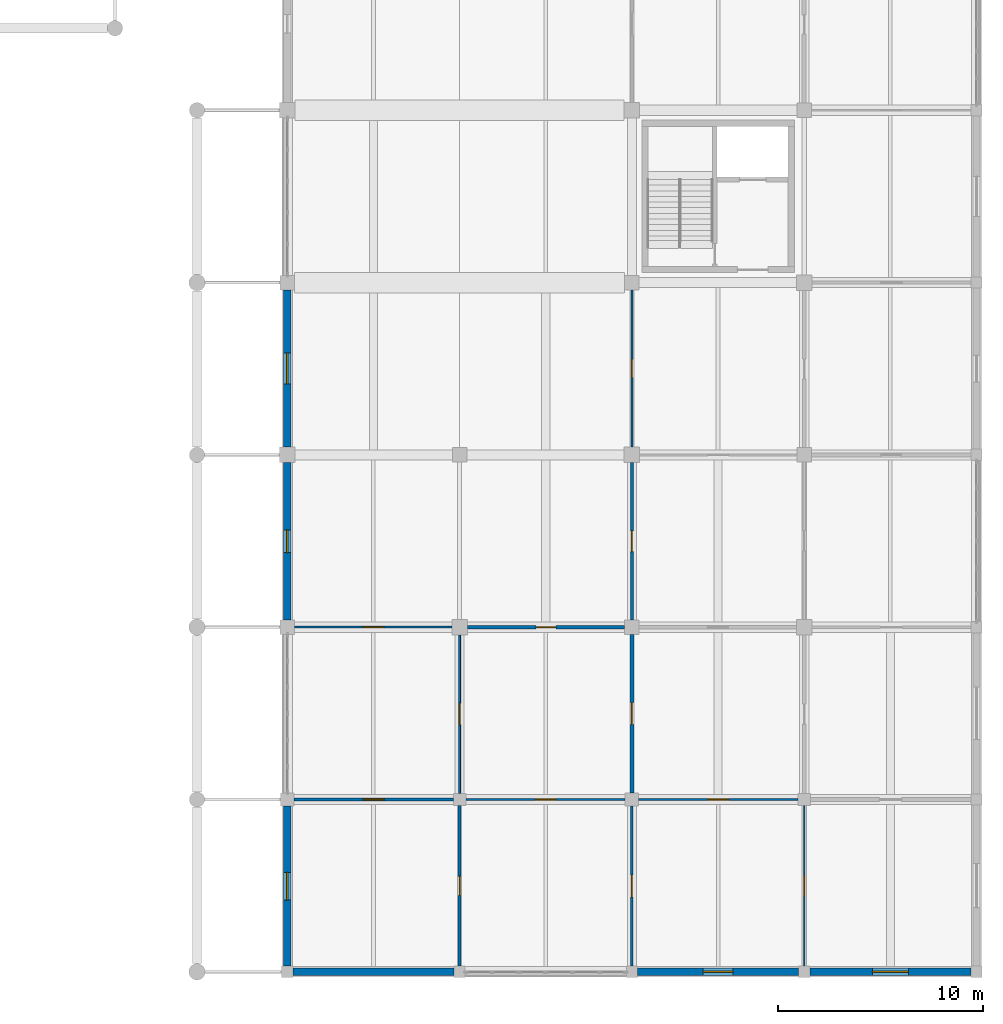
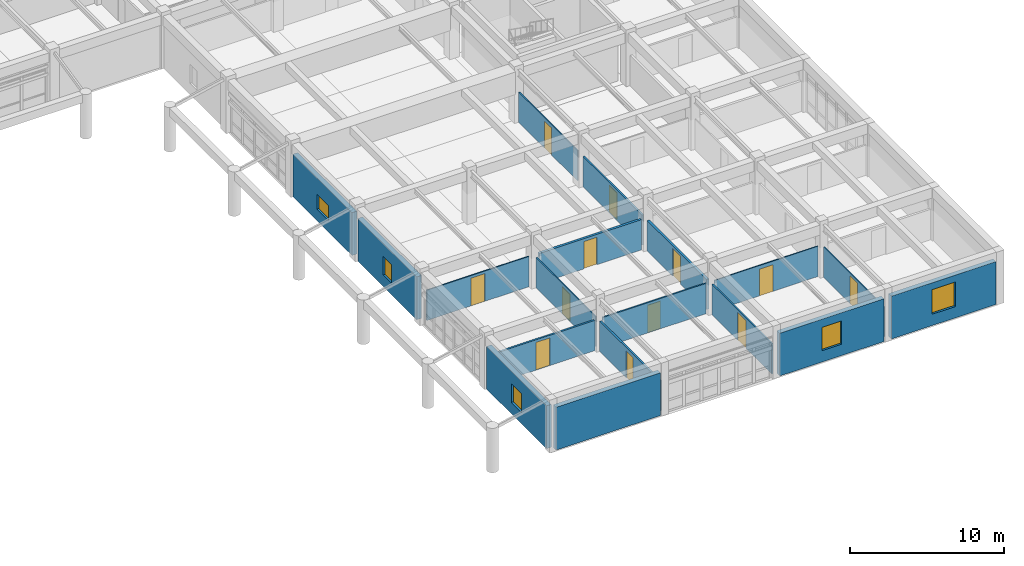
# One storey, part 90 of 99: 18 walls, 12 doors, 5 windows, 17 openings.
"""IFC4 building model written with IfcOpenShell, lengths in metres."""

from ifc_helpers import new_model, si_unit, direction, frame, frame_2d, origin, place, context, subcontext, project, spatial, rectangle, extrude, material, layer, layer_set, type_object, element, fill, save


model = new_model("IFC4")

# Units and contexts
model_context = context("Model", 3, precision=1e-05, world=origin(), true_north=direction((0.0, 1.0)))
body_context = subcontext(model_context, "Body", "Model", "MODEL_VIEW")
ifc_project = project(units=[si_unit("LENGTHUNIT", "METRE"), si_unit("AREAUNIT", "SQUARE_METRE"), si_unit("VOLUMEUNIT", "CUBIC_METRE"), si_unit("PLANEANGLEUNIT", "RADIAN"), si_unit("MASSUNIT", "GRAM", prefix="KILO")], contexts=[model_context])

# Site, building, storey
site_placement = place(None, origin())
site = spatial("IfcSite", under=ifc_project, at=site_placement, CompositionType="ELEMENT")
building_placement = place(site_placement, origin())
building = spatial("IfcBuilding", under=site, at=building_placement, Name="Porcellanite Civic Hall", CompositionType="ELEMENT")
storey_placement = place(building_placement, frame((0.0, 0.0, 5.760009765625)))
storey = spatial("IfcBuildingStorey", under=building, at=storey_placement, Name="L01", CompositionType="ELEMENT", Elevation=5.760009765625)

# Wall
ifc_material_1 = material(Name="Precast concrete N40 (40 MPa)", Category="concrete")
ifc_layer_1 = layer(ifc_material_1, 0.360107421875)
ifc_layer_set_1 = layer_set([ifc_layer_1], Name="Precast concrete N40 (40 MPa)")
wall_type_1 = type_object("IfcWallType", Name="EW-LIB360", PredefinedType="SOLIDWALL", material=ifc_layer_set_1)
wall_1_placement = place(storey_placement, frame((150.924072265625, 0.0, 0.0), z_axis=(0.0, 0.0, 1.0), x_axis=(-1.0, 0.0, 0.0)))
element("IfcWall", 1, at=wall_1_placement, inside=storey, type_object=wall_type_1, Name="Exterior wall L01 S 18-1", PredefinedType="SOLIDWALL", context=body_context, shape_type="SweptSolid", body=[
    extrude(rectangle(XDim=7.84814453125, YDim=0.360107421875, at=frame_2d((3.924072265625, 0.0))), origin(), (0.0, 0.0, 1.0), 3.39990234375),
])

# Wall, opening, window
wall_2_placement = place(storey_placement, frame((142.800048828125, 0.27587890625, 0.0), z_axis=(0.0, 0.0, 1.0), x_axis=(0.0, 1.0, 0.0)))
wall_2 = element("IfcWall", 2, at=wall_2_placement, inside=storey, type_object=wall_type_1, Name="Exterior wall L01 W 18-1", PredefinedType="SOLIDWALL", context=body_context, shape_type="SweptSolid", body=[
    extrude(rectangle(XDim=7.798095703125, YDim=0.360107421875, at=frame_2d((3.89892578125, 0.0))), origin(), (0.0, 0.0, 1.0), 3.39990234375),
])
opening_1_placement = place(wall_2_placement, frame((3.22412109375, 0.0, 0.89990234375)))
opening_1 = element("IfcOpeningElement", 3, at=opening_1_placement, cuts=wall_2, Name="Opening W23", PredefinedType="OPENING", context=body_context, shape_type="SweptSolid", body=[
    extrude(rectangle(XDim=1.35009765625, YDim=1.5, at=frame_2d((0.675048828125, 0.75))), frame((0.0, 0.18017578125, 0.0), z_axis=(0.0, -1.0, 0.0), x_axis=(1.0, 0.0, 0.0)), (0.0, 0.0, 1.0), 0.360107421875),
])
ifc_material_2 = material(Name="Cyclone laminated low-E glazing in anodised aluminium frame", Category="aluminium")
window_type_1 = type_object("IfcWindowType", Name="WN-23", PartitioningType="SINGLE_PANEL", PredefinedType="WINDOW", material=ifc_material_2)
window_1_placement = place(opening_1_placement, origin())
window_1 = element("IfcWindow", 4, at=window_1_placement, inside=storey, type_object=window_type_1, Name="Window W23 L01 W 18-1", OverallHeight=1.5, OverallWidth=1.35009765625, PartitioningType="SINGLE_PANEL", PredefinedType="WINDOW", context=body_context, shape_type="SweptSolid", body=[
    extrude(rectangle(XDim=1.35009765625, YDim=1.5, at=frame_2d((0.675048828125, 0.75))), frame((0.0, 0.030029296875, 0.0), z_axis=(0.0, -1.0, 0.0), x_axis=(1.0, 0.0, 0.0)), (0.0, 0.0, 1.0), 0.06005859375),
])
fill(opening_1, window_1)

wall_3_placement = place(storey_placement, frame((142.800048828125, 17.15087890625, 0.0), z_axis=(0.0, 0.0, 1.0), x_axis=(0.0, 1.0, 0.0)))
wall_3 = element("IfcWall", 5, at=wall_3_placement, inside=storey, type_object=wall_type_1, Name="Exterior wall L01 W 18-3", PredefinedType="SOLIDWALL", context=body_context, shape_type="SweptSolid", body=[
    extrude(rectangle(XDim=7.673095703125, YDim=0.360107421875, at=frame_2d((3.83642578125, 0.0))), origin(), (0.0, 0.0, 1.0), 3.39990234375),
])
opening_2_placement = place(wall_3_placement, frame((3.287109375, 0.0, 0.89990234375)))
opening_2 = element("IfcOpeningElement", 6, at=opening_2_placement, cuts=wall_3, Name="Opening W24", PredefinedType="OPENING", context=body_context, shape_type="SweptSolid", body=[
    extrude(rectangle(XDim=1.10009765625, YDim=1.5, at=frame_2d((0.550048828125, 0.75))), frame((0.0, 0.18017578125, 0.0), z_axis=(0.0, -1.0, 0.0), x_axis=(1.0, 0.0, 0.0)), (0.0, 0.0, 1.0), 0.360107421875),
])
ifc_material_3 = material(Name="Cyclone laminated low-E glazing in anodised aluminium frame", Category="aluminium")
window_type_2 = type_object("IfcWindowType", Name="WN-24", PartitioningType="SINGLE_PANEL", PredefinedType="WINDOW", material=ifc_material_3)
window_2_placement = place(opening_2_placement, origin())
window_2 = element("IfcWindow", 7, at=window_2_placement, inside=storey, type_object=window_type_2, Name="Window W24 L01 W 18-3", OverallHeight=1.5, OverallWidth=1.10009765625, PartitioningType="SINGLE_PANEL", PredefinedType="WINDOW", context=body_context, shape_type="SweptSolid", body=[
    extrude(rectangle(XDim=1.10009765625, YDim=1.5, at=frame_2d((0.550048828125, 0.75))), frame((0.0, 0.030029296875, 0.0), z_axis=(0.0, -1.0, 0.0), x_axis=(1.0, 0.0, 0.0)), (0.0, 0.0, 1.0), 0.06005859375),
])
fill(opening_2, window_2)

wall_4_placement = place(storey_placement, frame((142.800048828125, 25.575927734375, 0.0), z_axis=(0.0, 0.0, 1.0), x_axis=(0.0, 1.0, 0.0)))
wall_4 = element("IfcWall", 8, at=wall_4_placement, inside=storey, type_object=wall_type_1, Name="Exterior wall L01 W 18-4", PredefinedType="SOLIDWALL", context=body_context, shape_type="SweptSolid", body=[
    extrude(rectangle(XDim=7.673095703125, YDim=0.360107421875, at=frame_2d((3.83642578125, 0.0))), origin(), (0.0, 0.0, 1.0), 3.39990234375),
])
opening_3_placement = place(wall_4_placement, frame((3.0869140625, 0.0, 0.89990234375)))
opening_3 = element("IfcOpeningElement", 9, at=opening_3_placement, cuts=wall_4, Name="Opening W25", PredefinedType="OPENING", context=body_context, shape_type="SweptSolid", body=[
    extrude(rectangle(XDim=1.5, YDim=1.199951171875, at=frame_2d((0.75, 0.60009765625))), frame((0.0, 0.18017578125, 0.0), z_axis=(0.0, -1.0, 0.0), x_axis=(1.0, 0.0, 0.0)), (0.0, 0.0, 1.0), 0.360107421875),
])
ifc_material_4 = material(Name="Cyclone laminated low-E glazing in anodised aluminium frame", Category="aluminium")
window_type_3 = type_object("IfcWindowType", Name="WN-25", PartitioningType="SINGLE_PANEL", PredefinedType="WINDOW", material=ifc_material_4)
window_3_placement = place(opening_3_placement, origin())
window_3 = element("IfcWindow", 10, at=window_3_placement, inside=storey, type_object=window_type_3, Name="Window W25 L01 W 18-4", OverallHeight=1.199951171875, OverallWidth=1.5, PartitioningType="SINGLE_PANEL", PredefinedType="WINDOW", context=body_context, shape_type="SweptSolid", body=[
    extrude(rectangle(XDim=1.5, YDim=1.199951171875, at=frame_2d((0.75, 0.60009765625))), frame((0.0, 0.030029296875, 0.0), z_axis=(0.0, -1.0, 0.0), x_axis=(1.0, 0.0, 0.0)), (0.0, 0.0, 1.0), 0.06005859375),
])
fill(opening_3, window_3)

wall_5_placement = place(storey_placement, frame((167.72412109375, 0.0, 0.0), z_axis=(0.0, 0.0, 1.0), x_axis=(-1.0, 0.0, 0.0)))
wall_5 = element("IfcWall", 11, at=wall_5_placement, inside=storey, type_object=wall_type_1, Name="Exterior wall L01 S 20-1", PredefinedType="SOLIDWALL", context=body_context, shape_type="SweptSolid", body=[
    extrude(rectangle(XDim=7.84814453125, YDim=0.360107421875, at=frame_2d((3.924072265625, 0.0))), origin(), (0.0, 0.0, 1.0), 3.39990234375),
])
opening_4_placement = place(wall_5_placement, frame((3.198974609375, 0.0, 0.89990234375)))
opening_4 = element("IfcOpeningElement", 12, at=opening_4_placement, cuts=wall_5, Name="Opening W30", PredefinedType="OPENING", context=body_context, shape_type="SweptSolid", body=[
    extrude(rectangle(XDim=1.449951171875, YDim=1.85009765625, at=frame_2d((0.72509765625, 0.925048828125))), frame((0.0, 0.18017578125, 0.0), z_axis=(0.0, -1.0, 0.0), x_axis=(1.0, 0.0, 0.0)), (0.0, 0.0, 1.0), 0.360107421875),
])
ifc_material_5 = material(Name="Cyclone laminated low-E glazing in anodised aluminium frame", Category="aluminium")
window_type_4 = type_object("IfcWindowType", Name="WN-30", PartitioningType="SINGLE_PANEL", PredefinedType="WINDOW", material=ifc_material_5)
window_4_placement = place(opening_4_placement, origin())
window_4 = element("IfcWindow", 13, at=window_4_placement, inside=storey, type_object=window_type_4, Name="Window W30 L01 S 20-1", OverallHeight=1.85009765625, OverallWidth=1.449951171875, PartitioningType="SINGLE_PANEL", PredefinedType="WINDOW", context=body_context, shape_type="SweptSolid", body=[
    extrude(rectangle(XDim=1.449951171875, YDim=1.85009765625, at=frame_2d((0.72509765625, 0.925048828125))), frame((0.0, 0.030029296875, 0.0), z_axis=(0.0, -1.0, 0.0), x_axis=(1.0, 0.0, 0.0)), (0.0, 0.0, 1.0), 0.06005859375),
])
fill(opening_4, window_4)

wall_6_placement = place(storey_placement, frame((176.1240234375, 0.0, 0.0), z_axis=(0.0, 0.0, 1.0), x_axis=(-1.0, 0.0, 0.0)))
wall_6 = element("IfcWall", 14, at=wall_6_placement, inside=storey, type_object=wall_type_1, Name="Exterior wall L01 S 21-1", PredefinedType="SOLIDWALL", context=body_context, shape_type="SweptSolid", body=[
    extrude(rectangle(XDim=7.84814453125, YDim=0.360107421875, at=frame_2d((3.924072265625, 0.0))), origin(), (0.0, 0.0, 1.0), 3.39990234375),
])
opening_5_placement = place(wall_6_placement, frame((3.049072265625, 0.0, 0.89990234375)))
opening_5 = element("IfcOpeningElement", 15, at=opening_5_placement, cuts=wall_6, Name="Opening W31", PredefinedType="OPENING", context=body_context, shape_type="SweptSolid", body=[
    extrude(rectangle(XDim=1.75, YDim=1.949951171875, at=frame_2d((0.875, 0.97509765625))), frame((0.0, 0.18017578125, 0.0), z_axis=(0.0, -1.0, 0.0), x_axis=(1.0, 0.0, 0.0)), (0.0, 0.0, 1.0), 0.360107421875),
])
ifc_material_6 = material(Name="Cyclone laminated low-E glazing in anodised aluminium frame", Category="aluminium")
window_type_5 = type_object("IfcWindowType", Name="WN-31", PartitioningType="DOUBLE_PANEL_VERTICAL", PredefinedType="WINDOW", material=ifc_material_6)
window_5_placement = place(opening_5_placement, origin())
window_5 = element("IfcWindow", 16, at=window_5_placement, inside=storey, type_object=window_type_5, Name="Window W31 L01 S 21-1", OverallHeight=1.949951171875, OverallWidth=1.75, PartitioningType="SINGLE_PANEL", PredefinedType="WINDOW", context=body_context, shape_type="SweptSolid", body=[
    extrude(rectangle(XDim=1.75, YDim=1.949951171875, at=frame_2d((0.875, 0.97509765625))), frame((0.0, 0.030029296875, 0.0), z_axis=(0.0, -1.0, 0.0), x_axis=(1.0, 0.0, 0.0)), (0.0, 0.0, 1.0), 0.06005859375),
])
fill(opening_5, window_5)

# Wall, opening, door
ifc_material_7 = material(Name="Insulated acoustic plasterboard on light-gauge steel studs", Category="steel")
ifc_layer_2 = layer(ifc_material_7, 0.087890625)
ifc_layer_set_2 = layer_set([ifc_layer_2], Name="Insulated acoustic plasterboard on light-gauge steel studs")
wall_type_2 = type_object("IfcWallType", Name="IW-PT088", PredefinedType="PARTITIONING", material=ifc_layer_set_2)
wall_7_placement = place(storey_placement, frame((159.927001953125, 8.39990234375, 0.0), z_axis=(0.0, 0.0, 1.0), x_axis=(1.0, 0.0, 0.0)))
wall_7 = element("IfcWall", 17, at=wall_7_placement, inside=storey, type_object=wall_type_2, Name="Partition L01 H 20-1", PredefinedType="PARTITIONING", context=body_context, shape_type="SweptSolid", body=[
    extrude(rectangle(XDim=7.77099609375, YDim=0.087890625, at=frame_2d((3.885498046875, 0.0))), origin(), (0.0, 0.0, 1.0), 2.39990234375),
])
opening_6_placement = place(wall_7_placement, frame((3.381103515625, 0.0, 0.0)))
opening_6 = element("IfcOpeningElement", 18, at=opening_6_placement, cuts=wall_7, Name="Opening D-L01-244", PredefinedType="OPENING", context=body_context, shape_type="SweptSolid", body=[
    extrude(rectangle(XDim=1.010009765625, YDim=2.1201171875, at=frame_2d((0.5048828125, 1.06005859375))), frame((0.0, 0.0439453125, 0.0), z_axis=(0.0, -1.0, 0.0), x_axis=(1.0, 0.0, 0.0)), (0.0, 0.0, 1.0), 0.087890625),
])
ifc_material_8 = material(Name="Solid-core spotted-gum timber", Category="wood")
door_type_1 = type_object("IfcDoorType", Name="DR-RM101", OperationType="NOTDEFINED", PredefinedType="DOOR", material=ifc_material_8)
door_1_placement = place(opening_6_placement, origin())
door_1 = element("IfcDoor", 19, at=door_1_placement, inside=storey, type_object=door_type_1, Name="Interior door D-L01-244", OperationType="SINGLE_SWING_RIGHT", OverallHeight=2.1201171875, OverallWidth=1.010009765625, PredefinedType="DOOR", context=body_context, shape_type="SweptSolid", body=[
    extrude(rectangle(XDim=1.010009765625, YDim=2.1201171875, at=frame_2d((0.5048828125, 1.06005859375))), frame((0.0, 0.02490234375, 0.0), z_axis=(0.0, -1.0, 0.0), x_axis=(1.0, 0.0, 0.0)), (0.0, 0.0, 1.0), 0.050048828125),
])
fill(opening_6, door_1)

wall_8_placement = place(storey_placement, frame((159.60009765625, 25.576904296875, 0.0), z_axis=(0.0, 0.0, 1.0), x_axis=(0.0, 1.0, 0.0)))
wall_8 = element("IfcWall", 20, at=wall_8_placement, inside=storey, type_object=wall_type_2, Name="Partition L01 V 19-4", PredefinedType="PARTITIONING", context=body_context, shape_type="SweptSolid", body=[
    extrude(rectangle(XDim=7.671142578125, YDim=0.087890625, at=frame_2d((3.83544921875, 0.0))), origin(), (0.0, 0.0, 1.0), 2.39990234375),
])
opening_7_placement = place(wall_8_placement, frame((3.3759765625, 0.0, 0.0)))
opening_7 = element("IfcOpeningElement", 21, at=opening_7_placement, cuts=wall_8, Name="Opening D-L01-216", PredefinedType="OPENING", context=body_context, shape_type="SweptSolid", body=[
    extrude(rectangle(XDim=0.919921875, YDim=2.14990234375, at=frame_2d((0.4599609375, 1.074951171875))), frame((0.0, 0.0439453125, 0.0), z_axis=(0.0, -1.0, 0.0), x_axis=(1.0, 0.0, 0.0)), (0.0, 0.0, 1.0), 0.087890625),
])
ifc_material_9 = material(Name="Solid-core spotted-gum timber", Category="wood")
door_type_2 = type_object("IfcDoorType", Name="DR-RM092", OperationType="NOTDEFINED", PredefinedType="DOOR", material=ifc_material_9)
door_2_placement = place(opening_7_placement, origin())
door_2 = element("IfcDoor", 22, at=door_2_placement, inside=storey, type_object=door_type_2, Name="Interior door D-L01-216", OperationType="SINGLE_SWING_RIGHT", OverallHeight=2.14990234375, OverallWidth=0.919921875, PredefinedType="DOOR", context=body_context, shape_type="SweptSolid", body=[
    extrude(rectangle(XDim=0.919921875, YDim=2.14990234375, at=frame_2d((0.4599609375, 1.074951171875))), frame((0.0, 0.02490234375, 0.0), z_axis=(0.0, -1.0, 0.0), x_axis=(1.0, 0.0, 0.0)), (0.0, 0.0, 1.0), 0.050048828125),
])
fill(opening_7, door_2)

wall_9_placement = place(storey_placement, frame((168.0, 0.277099609375, 0.0), z_axis=(0.0, 0.0, 1.0), x_axis=(0.0, 1.0, 0.0)))
wall_9 = element("IfcWall", 23, at=wall_9_placement, inside=storey, type_object=wall_type_2, Name="Partition L01 V 20-1", PredefinedType="PARTITIONING", context=body_context, shape_type="SweptSolid", body=[
    extrude(rectangle(XDim=7.82080078125, YDim=0.087890625, at=frame_2d((3.910400390625, 0.0))), origin(), (0.0, 0.0, 1.0), 2.39990234375),
])
opening_8_placement = place(wall_9_placement, frame((3.409912109375, 0.0, 0.0)))
opening_8 = element("IfcOpeningElement", 24, at=opening_8_placement, cuts=wall_9, Name="Opening D-L01-303", PredefinedType="OPENING", context=body_context, shape_type="SweptSolid", body=[
    extrude(rectangle(XDim=1.0, YDim=2.199951171875, at=frame_2d((0.5, 1.10009765625))), frame((0.0, 0.0439453125, 0.0), z_axis=(0.0, -1.0, 0.0), x_axis=(1.0, 0.0, 0.0)), (0.0, 0.0, 1.0), 0.087890625),
])
ifc_material_10 = material(Name="Solid-core spotted-gum timber", Category="wood")
door_type_3 = type_object("IfcDoorType", Name="DR-RM100", OperationType="NOTDEFINED", PredefinedType="DOOR", material=ifc_material_10)
door_3_placement = place(opening_8_placement, origin())
door_3 = element("IfcDoor", 25, at=door_3_placement, inside=storey, type_object=door_type_3, Name="Interior door D-L01-303", OperationType="SINGLE_SWING_LEFT", OverallHeight=2.199951171875, OverallWidth=1.0, PredefinedType="DOOR", context=body_context, shape_type="SweptSolid", body=[
    extrude(rectangle(XDim=1.0, YDim=2.199951171875, at=frame_2d((0.5, 1.10009765625))), frame((0.0, 0.02490234375, 0.0), z_axis=(0.0, -1.0, 0.0), x_axis=(1.0, 0.0, 0.0)), (0.0, 0.0, 1.0), 0.050048828125),
])
fill(opening_8, door_3)

ifc_material_11 = material(Name="Insulated acoustic plasterboard on light-gauge steel studs", Category="steel")
ifc_layer_3 = layer(ifc_material_11, 0.094970703125)
ifc_layer_set_3 = layer_set([ifc_layer_3], Name="Insulated acoustic plasterboard on light-gauge steel studs")
wall_type_3 = type_object("IfcWallType", Name="IW-PT095", PredefinedType="PARTITIONING", material=ifc_layer_set_3)
wall_10_placement = place(storey_placement, frame((143.152099609375, 16.800048828125, 0.0), z_axis=(0.0, 0.0, 1.0), x_axis=(1.0, 0.0, 0.0)))
wall_10 = element("IfcWall", 26, at=wall_10_placement, inside=storey, type_object=wall_type_3, Name="Partition L01 H 18-2", PredefinedType="PARTITIONING", context=body_context, shape_type="SweptSolid", body=[
    extrude(rectangle(XDim=7.6708984375, YDim=0.094970703125, at=frame_2d((3.83544921875, 0.0))), origin(), (0.0, 0.0, 1.0), 2.39990234375),
])
opening_9_placement = place(wall_10_placement, frame((3.324951171875, 0.0, 0.0)))
opening_9 = element("IfcOpeningElement", 27, at=opening_9_placement, cuts=wall_10, Name="Opening D-L01-237", PredefinedType="OPENING", context=body_context, shape_type="SweptSolid", body=[
    extrude(rectangle(XDim=1.02001953125, YDim=2.199951171875, at=frame_2d((0.510009765625, 1.10009765625))), frame((0.0, 0.04736328125, 0.0), z_axis=(0.0, -1.0, 0.0), x_axis=(1.0, 0.0, 0.0)), (0.0, 0.0, 1.0), 0.094970703125),
])
ifc_material_12 = material(Name="Solid-core spotted-gum timber", Category="wood")
door_type_4 = type_object("IfcDoorType", Name="DR-RM102", OperationType="NOTDEFINED", PredefinedType="DOOR", material=ifc_material_12)
door_4_placement = place(opening_9_placement, origin())
door_4 = element("IfcDoor", 28, at=door_4_placement, inside=storey, type_object=door_type_4, Name="Interior door D-L01-237", OperationType="SINGLE_SWING_LEFT", OverallHeight=2.199951171875, OverallWidth=1.02001953125, PredefinedType="DOOR", context=body_context, shape_type="SweptSolid", body=[
    extrude(rectangle(XDim=1.02001953125, YDim=2.199951171875, at=frame_2d((0.510009765625, 1.10009765625))), frame((0.0, 0.02490234375, 0.0), z_axis=(0.0, -1.0, 0.0), x_axis=(1.0, 0.0, 0.0)), (0.0, 0.0, 1.0), 0.050048828125),
])
fill(opening_9, door_4)

wall_11_placement = place(storey_placement, frame((151.199951171875, 8.701904296875, 0.0), z_axis=(0.0, 0.0, 1.0), x_axis=(0.0, 1.0, 0.0)))
wall_11 = element("IfcWall", 29, at=wall_11_placement, inside=storey, type_object=wall_type_3, Name="Partition L01 V 18-2", PredefinedType="PARTITIONING", context=body_context, shape_type="SweptSolid", body=[
    extrude(rectangle(XDim=7.72119140625, YDim=0.094970703125, at=frame_2d((3.860595703125, 0.0))), origin(), (0.0, 0.0, 1.0), 2.39990234375),
])
opening_10_placement = place(wall_11_placement, frame((3.3359375, 0.0, 0.0)))
opening_10 = element("IfcOpeningElement", 30, at=opening_10_placement, cuts=wall_11, Name="Opening D-L01-295", PredefinedType="OPENING", context=body_context, shape_type="SweptSolid", body=[
    extrude(rectangle(XDim=1.050048828125, YDim=2.1201171875, at=frame_2d((0.52490234375, 1.06005859375))), frame((0.0, 0.04736328125, 0.0), z_axis=(0.0, -1.0, 0.0), x_axis=(1.0, 0.0, 0.0)), (0.0, 0.0, 1.0), 0.094970703125),
])
ifc_material_13 = material(Name="Solid-core spotted-gum timber", Category="wood")
door_type_5 = type_object("IfcDoorType", Name="DR-RM105", OperationType="NOTDEFINED", PredefinedType="DOOR", material=ifc_material_13)
door_5_placement = place(opening_10_placement, origin())
door_5 = element("IfcDoor", 31, at=door_5_placement, inside=storey, type_object=door_type_5, Name="Interior door D-L01-295", OperationType="SINGLE_SWING_LEFT", OverallHeight=2.1201171875, OverallWidth=1.050048828125, PredefinedType="DOOR", context=body_context, shape_type="SweptSolid", body=[
    extrude(rectangle(XDim=1.050048828125, YDim=2.1201171875, at=frame_2d((0.52490234375, 1.06005859375))), frame((0.0, 0.02490234375, 0.0), z_axis=(0.0, -1.0, 0.0), x_axis=(1.0, 0.0, 0.0)), (0.0, 0.0, 1.0), 0.050048828125),
])
fill(opening_10, door_5)

ifc_material_14 = material(Name="Insulated acoustic plasterboard on light-gauge steel studs", Category="steel")
ifc_layer_4 = layer(ifc_material_14, 0.114990234375)
ifc_layer_set_4 = layer_set([ifc_layer_4], Name="Insulated acoustic plasterboard on light-gauge steel studs")
wall_type_4 = type_object("IfcWallType", Name="IW-PT115", PredefinedType="PARTITIONING", material=ifc_layer_set_4)
wall_12_placement = place(storey_placement, frame((151.501953125, 8.39990234375, 0.0), z_axis=(0.0, 0.0, 1.0), x_axis=(1.0, 0.0, 0.0)))
wall_12 = element("IfcWall", 32, at=wall_12_placement, inside=storey, type_object=wall_type_4, Name="Partition L01 H 19-1", PredefinedType="PARTITIONING", context=body_context, shape_type="SweptSolid", body=[
    extrude(rectangle(XDim=7.77099609375, YDim=0.114990234375, at=frame_2d((3.885498046875, 0.0))), origin(), (0.0, 0.0, 1.0), 2.39990234375),
])
opening_11_placement = place(wall_12_placement, frame((3.39599609375, 0.0, 0.0)))
opening_11 = element("IfcOpeningElement", 33, at=opening_11_placement, cuts=wall_12, Name="Opening D-L01-239", PredefinedType="OPENING", context=body_context, shape_type="SweptSolid", body=[
    extrude(rectangle(XDim=0.97998046875, YDim=2.179931640625, at=frame_2d((0.489990234375, 1.08984375))), frame((0.0, 0.0576171875, 0.0), z_axis=(0.0, -1.0, 0.0), x_axis=(1.0, 0.0, 0.0)), (0.0, 0.0, 1.0), 0.114990234375),
])
ifc_material_15 = material(Name="Solid-core spotted-gum timber", Category="wood")
door_type_6 = type_object("IfcDoorType", Name="DR-RM098", OperationType="NOTDEFINED", PredefinedType="DOOR", material=ifc_material_15)
door_6_placement = place(opening_11_placement, origin())
door_6 = element("IfcDoor", 34, at=door_6_placement, inside=storey, type_object=door_type_6, Name="Interior door D-L01-239", OperationType="SINGLE_SWING_LEFT", OverallHeight=2.179931640625, OverallWidth=0.97998046875, PredefinedType="DOOR", context=body_context, shape_type="SweptSolid", body=[
    extrude(rectangle(XDim=0.97998046875, YDim=2.179931640625, at=frame_2d((0.489990234375, 1.08984375))), frame((0.0, 0.02490234375, 0.0), z_axis=(0.0, -1.0, 0.0), x_axis=(1.0, 0.0, 0.0)), (0.0, 0.0, 1.0), 0.050048828125),
])
fill(opening_11, door_6)

wall_13_placement = place(storey_placement, frame((159.60009765625, 0.277099609375, 0.0), z_axis=(0.0, 0.0, 1.0), x_axis=(0.0, 1.0, 0.0)))
wall_13 = element("IfcWall", 35, at=wall_13_placement, inside=storey, type_object=wall_type_4, Name="Partition L01 V 19-1", PredefinedType="PARTITIONING", context=body_context, shape_type="SweptSolid", body=[
    extrude(rectangle(XDim=7.7958984375, YDim=0.114990234375, at=frame_2d((3.89794921875, 0.0))), origin(), (0.0, 0.0, 1.0), 2.39990234375),
])
opening_12_placement = place(wall_13_placement, frame((3.35791015625, 0.0, 0.0)))
opening_12 = element("IfcOpeningElement", 36, at=opening_12_placement, cuts=wall_13, Name="Opening D-L01-299", PredefinedType="OPENING", context=body_context, shape_type="SweptSolid", body=[
    extrude(rectangle(XDim=1.080078125, YDim=2.219970703125, at=frame_2d((0.5400390625, 1.10986328125))), frame((0.0, 0.0576171875, 0.0), z_axis=(0.0, -1.0, 0.0), x_axis=(1.0, 0.0, 0.0)), (0.0, 0.0, 1.0), 0.114990234375),
])
ifc_material_16 = material(Name="Solid-core spotted-gum timber", Category="wood")
door_type_7 = type_object("IfcDoorType", Name="DR-RM108", OperationType="NOTDEFINED", PredefinedType="DOOR", material=ifc_material_16)
door_7_placement = place(opening_12_placement, origin())
door_7 = element("IfcDoor", 37, at=door_7_placement, inside=storey, type_object=door_type_7, Name="Interior door D-L01-299", OperationType="SINGLE_SWING_LEFT", OverallHeight=2.219970703125, OverallWidth=1.080078125, PredefinedType="DOOR", context=body_context, shape_type="SweptSolid", body=[
    extrude(rectangle(XDim=1.080078125, YDim=2.219970703125, at=frame_2d((0.5400390625, 1.10986328125))), frame((0.0, 0.02490234375, 0.0), z_axis=(0.0, -1.0, 0.0), x_axis=(1.0, 0.0, 0.0)), (0.0, 0.0, 1.0), 0.050048828125),
])
fill(opening_12, door_7)

ifc_material_17 = material(Name="Insulated acoustic plasterboard on light-gauge steel studs", Category="steel")
ifc_layer_5 = layer(ifc_material_17, 0.135009765625)
ifc_layer_set_5 = layer_set([ifc_layer_5], Name="Insulated acoustic plasterboard on light-gauge steel studs")
wall_type_5 = type_object("IfcWallType", Name="IW-PT135", PredefinedType="PARTITIONING", material=ifc_layer_set_5)
wall_14_placement = place(storey_placement, frame((159.60009765625, 17.152099609375, 0.0), z_axis=(0.0, 0.0, 1.0), x_axis=(0.0, 1.0, 0.0)))
wall_14 = element("IfcWall", 38, at=wall_14_placement, inside=storey, type_object=wall_type_5, Name="Partition L01 V 19-3", PredefinedType="PARTITIONING", context=body_context, shape_type="SweptSolid", body=[
    extrude(rectangle(XDim=7.6708984375, YDim=0.135009765625, at=frame_2d((3.83544921875, 0.0))), origin(), (0.0, 0.0, 1.0), 2.39990234375),
])
opening_13_placement = place(wall_14_placement, frame((3.3310546875, 0.0, 0.0)))
opening_13 = element("IfcOpeningElement", 39, at=opening_13_placement, cuts=wall_14, Name="Opening D-L01-257", PredefinedType="OPENING", context=body_context, shape_type="SweptSolid", body=[
    extrude(rectangle(XDim=1.010009765625, YDim=2.1201171875, at=frame_2d((0.5048828125, 1.06005859375))), frame((0.0, 0.0673828125, 0.0), z_axis=(0.0, -1.0, 0.0), x_axis=(1.0, 0.0, 0.0)), (0.0, 0.0, 1.0), 0.135009765625),
])
door_8_placement = place(opening_13_placement, origin())
door_8 = element("IfcDoor", 40, at=door_8_placement, inside=storey, type_object=door_type_1, Name="Interior door D-L01-257", OperationType="SINGLE_SWING_LEFT", OverallHeight=2.1201171875, OverallWidth=1.010009765625, PredefinedType="DOOR", context=body_context, shape_type="SweptSolid", body=[
    extrude(rectangle(XDim=1.010009765625, YDim=2.1201171875, at=frame_2d((0.5048828125, 1.06005859375))), frame((0.0, 0.02490234375, 0.0), z_axis=(0.0, -1.0, 0.0), x_axis=(1.0, 0.0, 0.0)), (0.0, 0.0, 1.0), 0.050048828125),
])
fill(opening_13, door_8)

ifc_material_18 = material(Name="Insulated acoustic plasterboard on light-gauge steel studs", Category="steel")
ifc_layer_6 = layer(ifc_material_18, 0.14501953125)
ifc_layer_set_6 = layer_set([ifc_layer_6], Name="Insulated acoustic plasterboard on light-gauge steel studs")
wall_type_6 = type_object("IfcWallType", Name="IW-PT145", PredefinedType="PARTITIONING", material=ifc_layer_set_6)
wall_15_placement = place(storey_placement, frame((143.126953125, 8.39990234375, 0.0), z_axis=(0.0, 0.0, 1.0), x_axis=(1.0, 0.0, 0.0)))
wall_15 = element("IfcWall", 41, at=wall_15_placement, inside=storey, type_object=wall_type_6, Name="Partition L01 H 18-1", PredefinedType="PARTITIONING", context=body_context, shape_type="SweptSolid", body=[
    extrude(rectangle(XDim=7.77099609375, YDim=0.14501953125, at=frame_2d((3.885498046875, 0.0))), origin(), (0.0, 0.0, 1.0), 2.39990234375),
])
opening_14_placement = place(wall_15_placement, frame((3.364990234375, 0.0, 0.0)))
opening_14 = element("IfcOpeningElement", 42, at=opening_14_placement, cuts=wall_15, Name="Opening D-L01-236", PredefinedType="OPENING", context=body_context, shape_type="SweptSolid", body=[
    extrude(rectangle(XDim=1.0400390625, YDim=2.199951171875, at=frame_2d((0.52001953125, 1.10009765625))), frame((0.0, 0.072509765625, 0.0), z_axis=(0.0, -1.0, 0.0), x_axis=(1.0, 0.0, 0.0)), (0.0, 0.0, 1.0), 0.14501953125),
])
ifc_material_19 = material(Name="Solid-core spotted-gum timber", Category="wood")
door_type_8 = type_object("IfcDoorType", Name="DR-RM104", OperationType="NOTDEFINED", PredefinedType="DOOR", material=ifc_material_19)
door_9_placement = place(opening_14_placement, origin())
door_9 = element("IfcDoor", 43, at=door_9_placement, inside=storey, type_object=door_type_8, Name="Interior door D-L01-236", OperationType="SINGLE_SWING_RIGHT", OverallHeight=2.199951171875, OverallWidth=1.0400390625, PredefinedType="DOOR", context=body_context, shape_type="SweptSolid", body=[
    extrude(rectangle(XDim=1.0400390625, YDim=2.199951171875, at=frame_2d((0.52001953125, 1.10009765625))), frame((0.0, 0.02490234375, 0.0), z_axis=(0.0, -1.0, 0.0), x_axis=(1.0, 0.0, 0.0)), (0.0, 0.0, 1.0), 0.050048828125),
])
fill(opening_14, door_9)

wall_16_placement = place(storey_placement, frame((151.199951171875, 0.277099609375, 0.0), z_axis=(0.0, 0.0, 1.0), x_axis=(0.0, 1.0, 0.0)))
wall_16 = element("IfcWall", 44, at=wall_16_placement, inside=storey, type_object=wall_type_6, Name="Partition L01 V 18-1", PredefinedType="PARTITIONING", context=body_context, shape_type="SweptSolid", body=[
    extrude(rectangle(XDim=7.82080078125, YDim=0.14501953125, at=frame_2d((3.910400390625, 0.0))), origin(), (0.0, 0.0, 1.0), 2.39990234375),
])
opening_15_placement = place(wall_16_placement, frame((3.449951171875, 0.0, 0.0)))
opening_15 = element("IfcOpeningElement", 45, at=opening_15_placement, cuts=wall_16, Name="Opening D-L01-294", PredefinedType="OPENING", context=body_context, shape_type="SweptSolid", body=[
    extrude(rectangle(XDim=0.919921875, YDim=2.14990234375, at=frame_2d((0.4599609375, 1.074951171875))), frame((0.0, 0.072509765625, 0.0), z_axis=(0.0, -1.0, 0.0), x_axis=(1.0, 0.0, 0.0)), (0.0, 0.0, 1.0), 0.14501953125),
])
door_10_placement = place(opening_15_placement, origin())
door_10 = element("IfcDoor", 46, at=door_10_placement, inside=storey, type_object=door_type_2, Name="Interior door D-L01-294", OperationType="SINGLE_SWING_RIGHT", OverallHeight=2.14990234375, OverallWidth=0.919921875, PredefinedType="DOOR", context=body_context, shape_type="SweptSolid", body=[
    extrude(rectangle(XDim=0.919921875, YDim=2.14990234375, at=frame_2d((0.4599609375, 1.074951171875))), frame((0.0, 0.02490234375, 0.0), z_axis=(0.0, -1.0, 0.0), x_axis=(1.0, 0.0, 0.0)), (0.0, 0.0, 1.0), 0.050048828125),
])
fill(opening_15, door_10)

ifc_material_20 = material(Name="Insulated acoustic plasterboard on light-gauge steel studs", Category="steel")
ifc_layer_7 = layer(ifc_material_20, 0.18505859375)
ifc_layer_set_7 = layer_set([ifc_layer_7], Name="Insulated acoustic plasterboard on light-gauge steel studs")
wall_type_7 = type_object("IfcWallType", Name="IW-PT185", PredefinedType="PARTITIONING", material=ifc_layer_set_7)
wall_17_placement = place(storey_placement, frame((151.576904296875, 16.800048828125, 0.0), z_axis=(0.0, 0.0, 1.0), x_axis=(1.0, 0.0, 0.0)))
wall_17 = element("IfcWall", 47, at=wall_17_placement, inside=storey, type_object=wall_type_7, Name="Partition L01 H 19-2", PredefinedType="PARTITIONING", context=body_context, shape_type="SweptSolid", body=[
    extrude(rectangle(XDim=7.671142578125, YDim=0.18505859375, at=frame_2d((3.83544921875, 0.0))), origin(), (0.0, 0.0, 1.0), 2.39990234375),
])
opening_16_placement = place(wall_17_placement, frame((3.35595703125, 0.0, 0.0)))
opening_16 = element("IfcOpeningElement", 48, at=opening_16_placement, cuts=wall_17, Name="Opening D-L01-240", PredefinedType="OPENING", context=body_context, shape_type="SweptSolid", body=[
    extrude(rectangle(XDim=0.9599609375, YDim=2.179931640625, at=frame_2d((0.47998046875, 1.08984375))), frame((0.0, 0.092529296875, 0.0), z_axis=(0.0, -1.0, 0.0), x_axis=(1.0, 0.0, 0.0)), (0.0, 0.0, 1.0), 0.18505859375),
])
ifc_material_21 = material(Name="Solid-core spotted-gum timber", Category="wood")
door_type_9 = type_object("IfcDoorType", Name="DR-RM096", OperationType="NOTDEFINED", PredefinedType="DOOR", material=ifc_material_21)
door_11_placement = place(opening_16_placement, origin())
door_11 = element("IfcDoor", 49, at=door_11_placement, inside=storey, type_object=door_type_9, Name="Interior door D-L01-240", OperationType="SINGLE_SWING_RIGHT", OverallHeight=2.179931640625, OverallWidth=0.9599609375, PredefinedType="DOOR", context=body_context, shape_type="SweptSolid", body=[
    extrude(rectangle(XDim=0.9599609375, YDim=2.179931640625, at=frame_2d((0.47998046875, 1.08984375))), frame((0.0, 0.02490234375, 0.0), z_axis=(0.0, -1.0, 0.0), x_axis=(1.0, 0.0, 0.0)), (0.0, 0.0, 1.0), 0.050048828125),
])
fill(opening_16, door_11)

wall_18_placement = place(storey_placement, frame((159.60009765625, 8.72705078125, 0.0), z_axis=(0.0, 0.0, 1.0), x_axis=(0.0, 1.0, 0.0)))
wall_18 = element("IfcWall", 50, at=wall_18_placement, inside=storey, type_object=wall_type_7, Name="Partition L01 V 19-2", PredefinedType="PARTITIONING", context=body_context, shape_type="SweptSolid", body=[
    extrude(rectangle(XDim=7.720947265625, YDim=0.18505859375, at=frame_2d((3.8603515625, 0.0))), origin(), (0.0, 0.0, 1.0), 2.39990234375),
])
opening_17_placement = place(wall_18_placement, frame((3.330078125, 0.0, 0.0)))
opening_17 = element("IfcOpeningElement", 51, at=opening_17_placement, cuts=wall_18, Name="Opening D-L01-300", PredefinedType="OPENING", context=body_context, shape_type="SweptSolid", body=[
    extrude(rectangle(XDim=1.06005859375, YDim=2.219970703125, at=frame_2d((0.530029296875, 1.10986328125))), frame((0.0, 0.092529296875, 0.0), z_axis=(0.0, -1.0, 0.0), x_axis=(1.0, 0.0, 0.0)), (0.0, 0.0, 1.0), 0.18505859375),
])
ifc_material_22 = material(Name="Solid-core spotted-gum timber", Category="wood")
door_type_10 = type_object("IfcDoorType", Name="DR-RM106", OperationType="NOTDEFINED", PredefinedType="DOOR", material=ifc_material_22)
door_12_placement = place(opening_17_placement, origin())
door_12 = element("IfcDoor", 52, at=door_12_placement, inside=storey, type_object=door_type_10, Name="Interior door D-L01-300", OperationType="SINGLE_SWING_RIGHT", OverallHeight=2.219970703125, OverallWidth=1.06005859375, PredefinedType="DOOR", context=body_context, shape_type="SweptSolid", body=[
    extrude(rectangle(XDim=1.06005859375, YDim=2.219970703125, at=frame_2d((0.530029296875, 1.10986328125))), frame((0.0, 0.02490234375, 0.0), z_axis=(0.0, -1.0, 0.0), x_axis=(1.0, 0.0, 0.0)), (0.0, 0.0, 1.0), 0.050048828125),
])
fill(opening_17, door_12)

save(model, "model.ifc")
